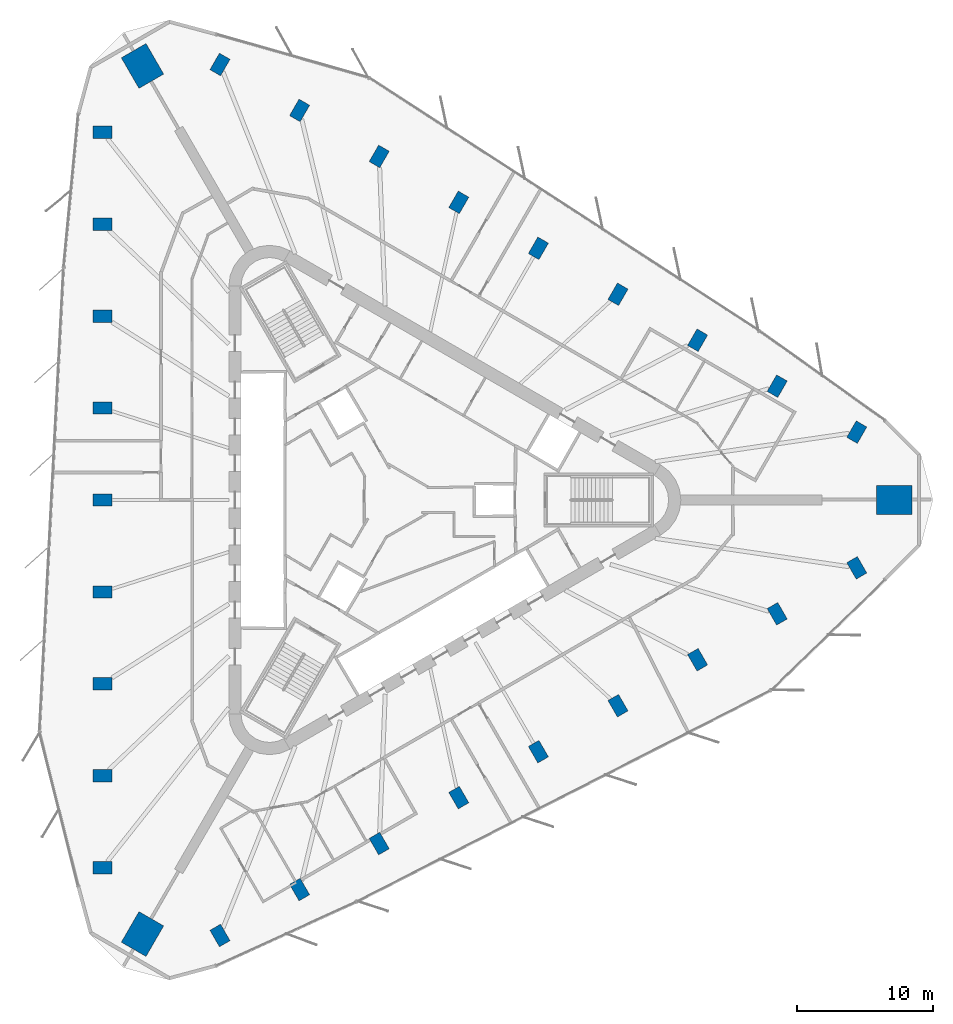
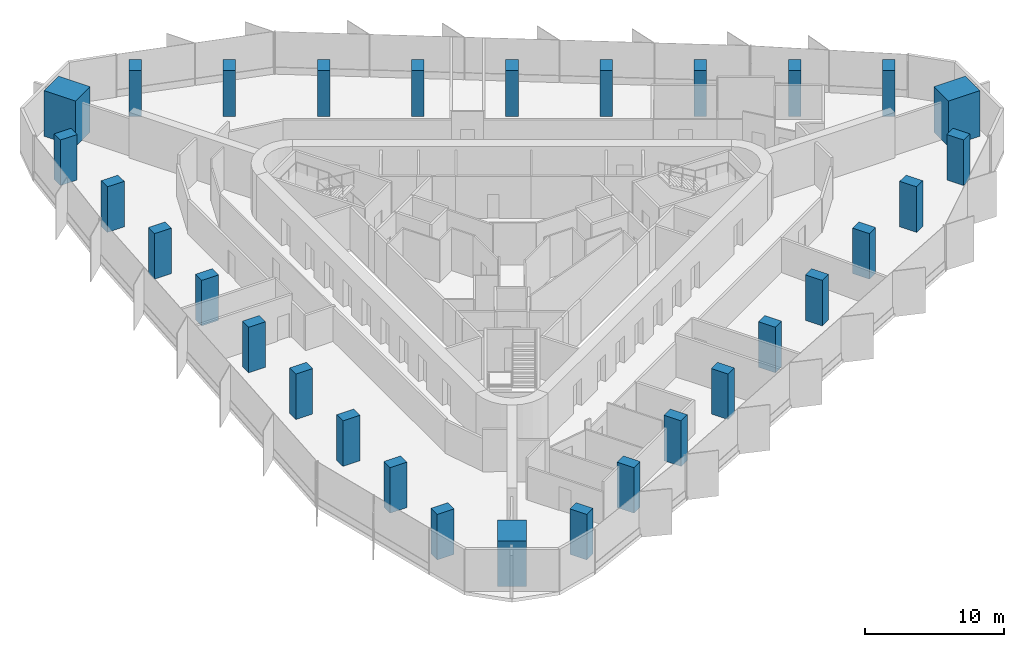
# One storey, part 1 of 14: 30 columns.
"""IFC4 building model written with IfcOpenShell, lengths in metres."""

from ifc_helpers import new_model, si_unit, direction, frame, origin, origin_2d, place, context, subcontext, project, spatial, rectangle, extrude, material, material_profile, profile_set, type_object, element, save


model = new_model("IFC4")

# Units and contexts
model_context = context("Model", 3, precision=1e-05, world=origin(), true_north=direction((0.0, 1.0)))
body_context = subcontext(model_context, "Body", "Model", "MODEL_VIEW")
ifc_project = project(units=[si_unit("LENGTHUNIT", "METRE"), si_unit("AREAUNIT", "SQUARE_METRE"), si_unit("VOLUMEUNIT", "CUBIC_METRE"), si_unit("PLANEANGLEUNIT", "RADIAN"), si_unit("MASSUNIT", "GRAM", prefix="KILO")], contexts=[model_context])

# Site, building, storey
site_placement = place(None, origin())
site = spatial("IfcSite", under=ifc_project, at=site_placement, CompositionType="ELEMENT")
building_placement = place(site_placement, origin())
building = spatial("IfcBuilding", under=site, at=building_placement, Name="Tanit Gate Tower", CompositionType="ELEMENT")
storey_placement = place(building_placement, frame((0.0, 0.0, 257.199951171875)))
storey = spatial("IfcBuildingStorey", under=building, at=storey_placement, Name="L58", CompositionType="ELEMENT", Elevation=257.199951171875)

# Columns
ifc_material_1 = material(Name="Concrete C60/75", Category="concrete")
ifc_material_profile_1 = material_profile(ifc_material_1, rectangle(XDim=2.60009765625, YDim=2.10009765625, at=origin_2d()), Name="RC 2600x2100")
ifc_profile_set_1 = profile_set([ifc_material_profile_1], Name="Concrete C60/75")
column_type_1 = type_object("IfcColumnType", Name="MEGA COLUMN 2600x2100 C60/75", PredefinedType="COLUMN", material=ifc_profile_set_1)
for number, where, z_axis, x_axis, name in (
    (1, (36.919921875, 0.0, 0.0), (0.0, 0.0, 1.0), (1.0, 0.0, 0.0), "MEGA COLUMN"),
    (2, (-18.4599609375, 31.9736328125, 0.0), (0.0, 0.0, 1.0), (-0.5, 0.866025403784, 0.0), "MEGA COLUMN"),
    (3, (-18.4599609375, -31.9736328125, 0.0), (0.0, 0.0, 1.0), (-0.5, -0.866025403784, 0.0), "MEGA COLUMN"),
):
    element("IfcColumn", number, at=place(storey_placement, frame(where, z_axis=z_axis, x_axis=x_axis)), inside=storey, type_object=column_type_1, Name=name, PredefinedType="COLUMN", context=body_context, shape_type="SweptSolid", body=[
        extrude(rectangle(XDim=2.60009765625, YDim=2.10009765625, at=origin_2d()), origin(), (0.0, 0.0, 1.0), 4.0),
    ])
ifc_material_2 = material(Name="Concrete C50/60", Category="concrete")
ifc_material_profile_2 = material_profile(ifc_material_2, rectangle(XDim=1.39990234375, YDim=0.89990234375, at=origin_2d()), Name="RC 1400x900")
ifc_profile_set_2 = profile_set([ifc_material_profile_2], Name="Concrete C50/60")
column_type_2 = type_object("IfcColumnType", Name="PERIMETER COLUMN 1400x900 C50/60", PredefinedType="COLUMN", material=ifc_profile_set_2)
for number, where, z_axis, x_axis, name in (
    (4, (-21.4072265625, 27.083984375, 0.0), (0.0, 0.0, 1.0), (-1.0, 0.0, 0.0), "PERIMETER COLUMN"),
    (5, (-21.4072265625, 20.31298828125, 0.0), (0.0, 0.0, 1.0), (-1.0, 0.0, 0.0), "PERIMETER COLUMN"),
    (6, (-21.4072265625, 13.5419921875, 0.0), (0.0, 0.0, 1.0), (-1.0, 0.0, 0.0), "PERIMETER COLUMN"),
    (7, (-21.4072265625, 6.77099609375, 0.0), (0.0, 0.0, 1.0), (-1.0, 0.0, 0.0), "PERIMETER COLUMN"),
    (8, (-21.4072265625, 0.0, 0.0), (0.0, 0.0, 1.0), (-1.0, 0.0, 0.0), "PERIMETER COLUMN"),
    (9, (-21.4072265625, -6.77099609375, 0.0), (0.0, 0.0, 1.0), (-1.0, 0.0, 0.0), "PERIMETER COLUMN"),
    (10, (-21.4072265625, -13.5419921875, 0.0), (0.0, 0.0, 1.0), (-1.0, 0.0, 0.0), "PERIMETER COLUMN"),
    (11, (-21.4072265625, -20.31298828125, 0.0), (0.0, 0.0, 1.0), (-1.0, 0.0, 0.0), "PERIMETER COLUMN"),
    (12, (-21.4072265625, -27.083984375, 0.0), (0.0, 0.0, 1.0), (-1.0, 0.0, 0.0), "PERIMETER COLUMN"),
    (13, (34.158935546875, 4.997314453125, 0.0), (0.0, 0.0, 1.0), (0.5, 0.866025403784, 0.0), "PERIMETER COLUMN"),
    (14, (28.295166015625, 8.3828125, 0.0), (0.0, 0.0, 1.0), (0.5, 0.866025403784, 0.0), "PERIMETER COLUMN"),
    (15, (22.431396484375, 11.768310546875, 0.0), (0.0, 0.0, 1.0), (0.5, 0.866025403784, 0.0), "PERIMETER COLUMN"),
    (16, (16.5673828125, 15.15380859375, 0.0), (0.0, 0.0, 1.0), (0.5, 0.866025403784, 0.0), "PERIMETER COLUMN"),
    (17, (10.70361328125, 18.539306640625, 0.0), (0.0, 0.0, 1.0), (0.5, 0.866025403784, 0.0), "PERIMETER COLUMN"),
    (18, (4.83984375, 21.9248046875, 0.0), (0.0, 0.0, 1.0), (0.5, 0.866025403784, 0.0), "PERIMETER COLUMN"),
    (19, (-1.02392578125, 25.310302734375, 0.0), (0.0, 0.0, 1.0), (0.5, 0.866025403784, 0.0), "PERIMETER COLUMN"),
    (20, (-6.887939453125, 28.69580078125, 0.0), (0.0, 0.0, 1.0), (0.5, 0.866025403784, 0.0), "PERIMETER COLUMN"),
    (21, (-12.751708984375, 32.081298828125, 0.0), (0.0, 0.0, 1.0), (0.5, 0.866025403784, 0.0), "PERIMETER COLUMN"),
    (22, (-12.751708984375, -32.081298828125, 0.0), (0.0, 0.0, 1.0), (0.5, -0.866025403784, 0.0), "PERIMETER COLUMN"),
    (23, (-6.887939453125, -28.69580078125, 0.0), (0.0, 0.0, 1.0), (0.5, -0.866025403784, 0.0), "PERIMETER COLUMN"),
    (24, (-1.02392578125, -25.310302734375, 0.0), (0.0, 0.0, 1.0), (0.5, -0.866025403784, 0.0), "PERIMETER COLUMN"),
    (25, (4.83984375, -21.9248046875, 0.0), (0.0, 0.0, 1.0), (0.5, -0.866025403784, 0.0), "PERIMETER COLUMN"),
    (26, (10.70361328125, -18.539306640625, 0.0), (0.0, 0.0, 1.0), (0.5, -0.866025403784, 0.0), "PERIMETER COLUMN"),
    (27, (16.5673828125, -15.15380859375, 0.0), (0.0, 0.0, 1.0), (0.5, -0.866025403784, 0.0), "PERIMETER COLUMN"),
    (28, (22.431396484375, -11.768310546875, 0.0), (0.0, 0.0, 1.0), (0.5, -0.866025403784, 0.0), "PERIMETER COLUMN"),
    (29, (28.295166015625, -8.3828125, 0.0), (0.0, 0.0, 1.0), (0.5, -0.866025403784, 0.0), "PERIMETER COLUMN"),
    (30, (34.158935546875, -4.997314453125, 0.0), (0.0, 0.0, 1.0), (0.5, -0.866025403784, 0.0), "PERIMETER COLUMN"),
):
    element("IfcColumn", number, at=place(storey_placement, frame(where, z_axis=z_axis, x_axis=x_axis)), inside=storey, type_object=column_type_2, Name=name, PredefinedType="COLUMN", context=body_context, shape_type="SweptSolid", body=[
        extrude(rectangle(XDim=1.39990234375, YDim=0.89990234375, at=origin_2d()), origin(), (0.0, 0.0, 1.0), 4.0),
    ])

save(model, "model.ifc")
